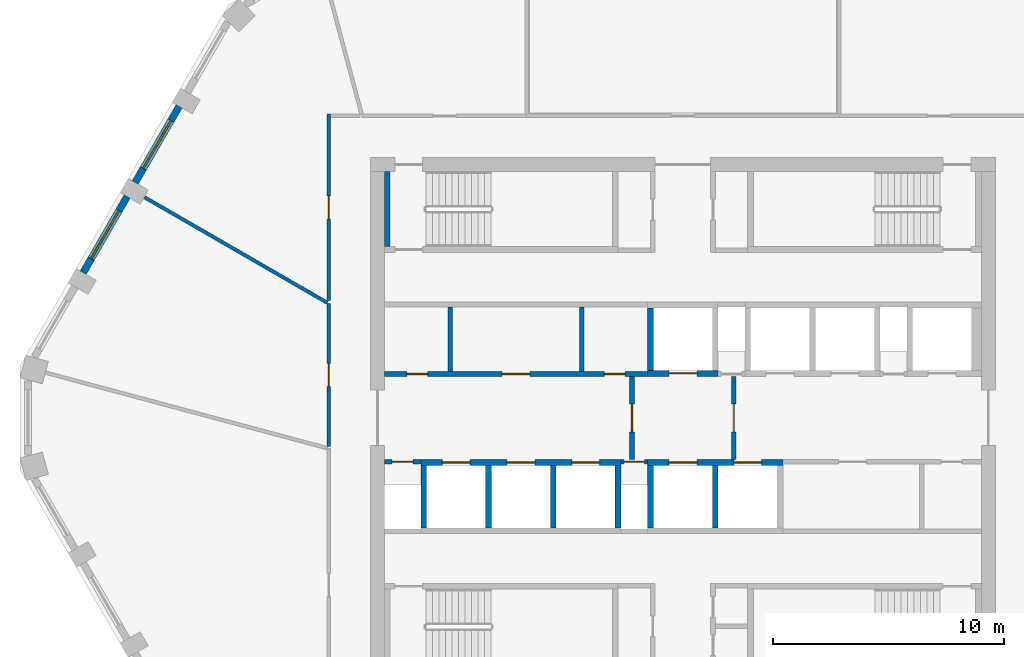
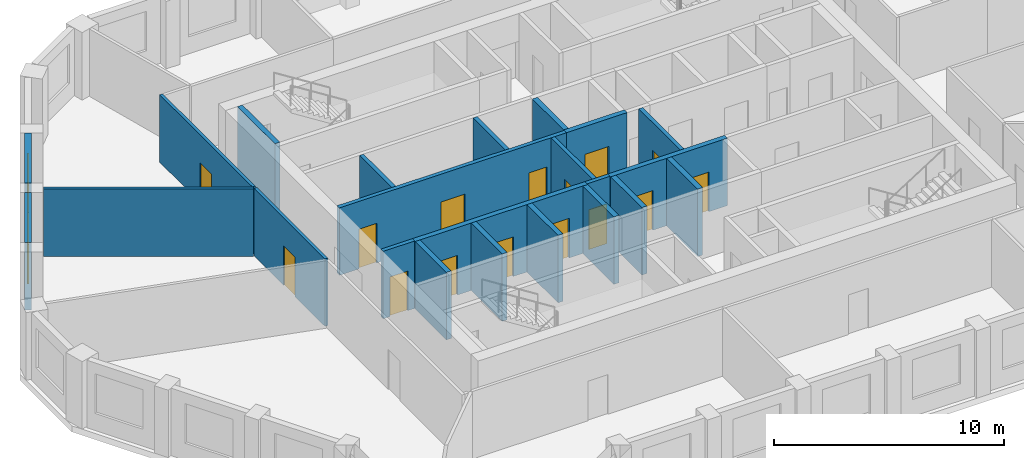
# One storey, part 3 of 10: 23 walls, 15 doors, 2 windows, 17 openings.
"""IFC4 building model written with IfcOpenShell, lengths in metres."""

from ifc_helpers import new_model, si_unit, direction, frame, frame_2d, origin, place, context, subcontext, project, spatial, polyline, rectangle, outline, extrude, material, layer, layer_set, type_object, element, fill, save


model = new_model("IFC4")

# Units and contexts
model_context = context("Model", 3, precision=1e-05, world=origin(), true_north=direction((0.0, 1.0)))
body_context = subcontext(model_context, "Body", "Model", "MODEL_VIEW")
ifc_project = project(units=[si_unit("LENGTHUNIT", "METRE"), si_unit("AREAUNIT", "SQUARE_METRE"), si_unit("VOLUMEUNIT", "CUBIC_METRE"), si_unit("PLANEANGLEUNIT", "RADIAN"), si_unit("MASSUNIT", "GRAM", prefix="KILO")], contexts=[model_context])

# Site, building, storey
site_placement = place(None, origin())
site = spatial("IfcSite", under=ifc_project, at=site_placement, CompositionType="ELEMENT")
building_placement = place(site_placement, origin())
building = spatial("IfcBuilding", under=site, at=building_placement, Name="Dhurran Vertical Campus", CompositionType="ELEMENT")
storey_placement = place(building_placement, frame((0.0, 0.0, 254.699951171875)))
storey = spatial("IfcBuildingStorey", under=building, at=storey_placement, Name="L63", CompositionType="ELEMENT", Elevation=254.699951171875)

# Wall, opening, window
ifc_material_1 = material(Name="Precast concrete C50/60", Category="concrete")
ifc_layer_1 = layer(ifc_material_1, 0.300048828125)
ifc_layer_set_1 = layer_set([ifc_layer_1], Name="Precast concrete C50/60")
wall_type_1 = type_object("IfcWallType", Name="Precast spandrel wall 300", PredefinedType="SOLIDWALL", material=ifc_layer_set_1)
wall_1_placement = place(storey_placement, frame((-21.769287109375, 13.462890625, 0.0), z_axis=(0.0, 0.0, 1.0), x_axis=(-0.499982058975, -0.866035761792, 0.0)))
wall_1 = element("IfcWall", 1, at=wall_1_placement, inside=storey, type_object=wall_type_1, Name="EW1 L63.27", PredefinedType="SOLIDWALL", context=body_context, shape_type="SweptSolid", body=[
    extrude(rectangle(XDim=3.799072265625, YDim=0.300048828125, at=frame_2d((1.8994140625, 0.0))), origin(), (0.0, 0.0, 1.0), 3.574951171875),
])
opening_1_placement = place(wall_1_placement, frame((0.699462890625, 0.0, 0.89990234375)))
opening_1 = element("IfcOpeningElement", 2, at=opening_1_placement, cuts=wall_1, Name="Opening WT1", PredefinedType="OPENING", context=body_context, shape_type="SweptSolid", body=[
    extrude(rectangle(XDim=2.39990234375, YDim=2.10009765625, at=frame_2d((1.199951171875, 1.050048828125))), frame((0.0, 0.159912109375, 0.0), z_axis=(0.0, -1.0, 0.0), x_axis=(1.0, 0.0, 0.0)), (0.0, 0.0, 1.0), 0.320068359375),
])
ifc_material_2 = material(Name="Aluminium frame with solar-control glass", Category="aluminium")
window_type = type_object("IfcWindowType", Name="Punched window 2400 x 2100", PartitioningType="SINGLE_PANEL", PredefinedType="WINDOW", material=ifc_material_2)
window_1_placement = place(opening_1_placement, origin())
window_1 = element("IfcWindow", 3, at=window_1_placement, inside=storey, type_object=window_type, Name="WT1 L63.27", OverallHeight=2.10009765625, OverallWidth=2.39990234375, PartitioningType="SINGLE_PANEL", PredefinedType="WINDOW", context=body_context, shape_type="SweptSolid", body=[
    extrude(rectangle(XDim=2.39990234375, YDim=2.10009765625, at=frame_2d((1.199951171875, 1.050048828125))), frame((0.0, 0.030029296875, 0.0), z_axis=(0.0, -1.0, 0.0), x_axis=(1.0, 0.0, 0.0)), (0.0, 0.0, 1.0), 0.06005859375),
])
fill(opening_1, window_1)

wall_2_placement = place(storey_placement, frame((-24.019287109375, 9.565673828125, 0.0), z_axis=(0.0, 0.0, 1.0), x_axis=(-0.499982058975, -0.866035761792, 0.0)))
wall_2 = element("IfcWall", 4, at=wall_2_placement, inside=storey, type_object=wall_type_1, Name="EW1 L63.28", PredefinedType="SOLIDWALL", context=body_context, shape_type="SweptSolid", body=[
    extrude(rectangle(XDim=3.799072265625, YDim=0.300048828125, at=frame_2d((1.8994140625, 0.0))), origin(), (0.0, 0.0, 1.0), 3.574951171875),
])
opening_2_placement = place(wall_2_placement, frame((0.699462890625, 0.0, 0.89990234375)))
opening_2 = element("IfcOpeningElement", 5, at=opening_2_placement, cuts=wall_2, Name="Opening WT1", PredefinedType="OPENING", context=body_context, shape_type="SweptSolid", body=[
    extrude(rectangle(XDim=2.39990234375, YDim=2.10009765625, at=frame_2d((1.199951171875, 1.050048828125))), frame((0.0, 0.159912109375, 0.0), z_axis=(0.0, -1.0, 0.0), x_axis=(1.0, 0.0, 0.0)), (0.0, 0.0, 1.0), 0.320068359375),
])
window_2_placement = place(opening_2_placement, origin())
window_2 = element("IfcWindow", 6, at=window_2_placement, inside=storey, type_object=window_type, Name="WT1 L63.28", OverallHeight=2.10009765625, OverallWidth=2.39990234375, PartitioningType="SINGLE_PANEL", PredefinedType="WINDOW", context=body_context, shape_type="SweptSolid", body=[
    extrude(rectangle(XDim=2.39990234375, YDim=2.10009765625, at=frame_2d((1.199951171875, 1.050048828125))), frame((0.0, 0.030029296875, 0.0), z_axis=(0.0, -1.0, 0.0), x_axis=(1.0, 0.0, 0.0)), (0.0, 0.0, 1.0), 0.06005859375),
])
fill(opening_2, window_2)

# Wall, opening, door
ifc_material_3 = material(Name="Fire-rated masonry blockwork", Category="masonry")
ifc_layer_2 = layer(ifc_material_3, 0.199951171875)
ifc_layer_set_2 = layer_set([ifc_layer_2], Name="Fire-rated masonry blockwork")
wall_type_2 = type_object("IfcWallType", Name="co-FIRE-PARTITION-200", PredefinedType="PARTITIONING", material=ifc_layer_set_2)
wall_3_placement = place(storey_placement, frame((-2.199951171875, -1.800048828125, 0.0), z_axis=(0.0, 0.0, 1.0), x_axis=(0.0, 1.0, 0.0)))
wall_3 = element("IfcWall", 7, at=wall_3_placement, inside=storey, type_object=wall_type_2, Name="Firefighting lobby wall W L63", PredefinedType="PARTITIONING", context=body_context, shape_type="SweptSolid", body=[
    extrude(rectangle(XDim=3.60009765625, YDim=0.199951171875, at=frame_2d((1.800048828125, 0.0))), origin(), (0.0, 0.0, 1.0), 3.574951171875),
])
opening_3_placement = place(wall_3_placement, frame((1.199951171875, 0.0, 0.0)))
opening_3 = element("IfcOpeningElement", 8, at=opening_3_placement, cuts=wall_3, Name="Opening FL1", PredefinedType="OPENING", context=body_context, shape_type="SweptSolid", body=[
    extrude(rectangle(XDim=1.199951171875, YDim=2.10009765625, at=frame_2d((0.60009765625, 1.050048828125))), frame((0.0, 0.10986328125, 0.0), z_axis=(0.0, -1.0, 0.0), x_axis=(1.0, 0.0, 0.0)), (0.0, 0.0, 1.0), 0.219970703125),
])
ifc_material_4 = material(Name="Fire-rated steel door set", Category="steel")
door_type_1 = type_object("IfcDoorType", Name="co-D-FFLOBBY 1200x2100", OperationType="SINGLE_SWING_LEFT", PredefinedType="DOOR", material=ifc_material_4)
door_1_placement = place(opening_3_placement, origin())
door_1 = element("IfcDoor", 9, at=door_1_placement, inside=storey, type_object=door_type_1, Name="Firefighting lobby door W L63", OperationType="SINGLE_SWING_LEFT", OverallHeight=2.10009765625, OverallWidth=1.199951171875, PredefinedType="DOOR", context=body_context, shape_type="SweptSolid", body=[
    extrude(rectangle(XDim=1.199951171875, YDim=2.10009765625, at=frame_2d((0.60009765625, 1.050048828125))), frame((0.0, 0.02490234375, 0.0), z_axis=(0.0, -1.0, 0.0), x_axis=(1.0, 0.0, 0.0)), (0.0, 0.0, 1.0), 0.050048828125),
])
fill(opening_3, door_1)

wall_4_placement = place(storey_placement, frame((2.199951171875, -1.800048828125, 0.0), z_axis=(0.0, 0.0, 1.0), x_axis=(0.0, 1.0, 0.0)))
wall_4 = element("IfcWall", 10, at=wall_4_placement, inside=storey, type_object=wall_type_2, Name="Firefighting lobby wall E L63", PredefinedType="PARTITIONING", context=body_context, shape_type="SweptSolid", body=[
    extrude(rectangle(XDim=3.60009765625, YDim=0.199951171875, at=frame_2d((1.800048828125, 0.0))), origin(), (0.0, 0.0, 1.0), 3.574951171875),
])
opening_4_placement = place(wall_4_placement, frame((1.199951171875, 0.0, 0.0)))
opening_4 = element("IfcOpeningElement", 11, at=opening_4_placement, cuts=wall_4, Name="Opening FL2", PredefinedType="OPENING", context=body_context, shape_type="SweptSolid", body=[
    extrude(rectangle(XDim=1.199951171875, YDim=2.10009765625, at=frame_2d((0.60009765625, 1.050048828125))), frame((0.0, 0.10986328125, 0.0), z_axis=(0.0, -1.0, 0.0), x_axis=(1.0, 0.0, 0.0)), (0.0, 0.0, 1.0), 0.219970703125),
])
door_2_placement = place(opening_4_placement, origin())
door_2 = element("IfcDoor", 12, at=door_2_placement, inside=storey, type_object=door_type_1, Name="Firefighting lobby door E L63", OperationType="SINGLE_SWING_LEFT", OverallHeight=2.10009765625, OverallWidth=1.199951171875, PredefinedType="DOOR", context=body_context, shape_type="SweptSolid", body=[
    extrude(rectangle(XDim=1.199951171875, YDim=2.10009765625, at=frame_2d((0.60009765625, 1.050048828125))), frame((0.0, 0.02490234375, 0.0), z_axis=(0.0, -1.0, 0.0), x_axis=(1.0, 0.0, 0.0)), (0.0, 0.0, 1.0), 0.050048828125),
])
fill(opening_4, door_2)

# Walls
for number, where, z_axis, x_axis, name in (
    (13, (-10.056396484375, 2.0, 0.0), (0.0, 0.0, 1.0), (0.0, 1.0, 0.0), "Core partition fr-N0-cut0 L63"),
    (14, (-4.368896484375, 2.0, 0.0), (0.0, 0.0, 1.0), (0.0, 1.0, 0.0), "Core partition fr-N0-cut1 L63"),
):
    element("IfcWall", number, at=place(storey_placement, frame(where, z_axis=z_axis, x_axis=x_axis)), inside=storey, type_object=wall_type_2, Name=name, PredefinedType="PARTITIONING", context=body_context, shape_type="SweptSolid", body=[
        extrude(rectangle(XDim=2.800048828125, YDim=0.199951171875, at=frame_2d((1.39990234375, 0.0))), origin(), (0.0, 0.0, 1.0), 3.574951171875),
    ])

# Wall, openings, doors
wall_5_placement = place(storey_placement, frame((-12.89990234375, 1.89990234375, 0.0), z_axis=(0.0, 0.0, 1.0), x_axis=(1.0, 0.0, 0.0)))
wall_5 = element("IfcWall", 15, at=wall_5_placement, inside=storey, type_object=wall_type_2, Name="Core partition fr-N0-f L63", PredefinedType="PARTITIONING", context=body_context, shape_type="SweptSolid", body=[
    extrude(rectangle(XDim=11.375, YDim=0.199951171875, at=frame_2d((5.6875, 0.0))), origin(), (0.0, 0.0, 1.0), 3.574951171875),
])
opening_5_placement = place(wall_5_placement, frame((0.971923828125, 0.0, 0.0)))
opening_5 = element("IfcOpeningElement", 16, at=opening_5_placement, cuts=wall_5, Name="Opening T18-C6", PredefinedType="OPENING", context=body_context, shape_type="SweptSolid", body=[
    extrude(rectangle(XDim=0.89990234375, YDim=2.10009765625, at=frame_2d((0.449951171875, 1.050048828125))), frame((0.0, 0.10986328125, 0.0), z_axis=(0.0, -1.0, 0.0), x_axis=(1.0, 0.0, 0.0)), (0.0, 0.0, 1.0), 0.219970703125),
])
opening_6_placement = place(wall_5_placement, frame((5.08740234375, 0.0, 0.0)))
opening_6 = element("IfcOpeningElement", 17, at=opening_6_placement, cuts=wall_5, Name="Opening T18-C7", PredefinedType="OPENING", context=body_context, shape_type="SweptSolid", body=[
    extrude(rectangle(XDim=1.199951171875, YDim=2.10009765625, at=frame_2d((0.60009765625, 1.050048828125))), frame((0.0, 0.10986328125, 0.0), z_axis=(0.0, -1.0, 0.0), x_axis=(1.0, 0.0, 0.0)), (0.0, 0.0, 1.0), 0.219970703125),
])
opening_7_placement = place(wall_5_placement, frame((9.503173828125, 0.0, 0.0)))
opening_7 = element("IfcOpeningElement", 18, at=opening_7_placement, cuts=wall_5, Name="Opening T18-C8", PredefinedType="OPENING", context=body_context, shape_type="SweptSolid", body=[
    extrude(rectangle(XDim=0.89990234375, YDim=2.10009765625, at=frame_2d((0.449951171875, 1.050048828125))), frame((0.0, 0.10986328125, 0.0), z_axis=(0.0, -1.0, 0.0), x_axis=(1.0, 0.0, 0.0)), (0.0, 0.0, 1.0), 0.219970703125),
])
ifc_material_5 = material(Name="Fire-rated timber door set", Category="wood")
door_type_2 = type_object("IfcDoorType", Name="co-D-ROOM 900x2100", OperationType="SINGLE_SWING_LEFT", PredefinedType="DOOR", material=ifc_material_5)
door_3_placement = place(opening_5_placement, origin())
door_3 = element("IfcDoor", 19, at=door_3_placement, inside=storey, type_object=door_type_2, Name="Housekeeping store door L63", OperationType="SINGLE_SWING_LEFT", OverallHeight=2.10009765625, OverallWidth=0.89990234375, PredefinedType="DOOR", context=body_context, shape_type="SweptSolid", body=[
    extrude(rectangle(XDim=0.89990234375, YDim=2.10009765625, at=frame_2d((0.449951171875, 1.050048828125))), frame((0.0, 0.02490234375, 0.0), z_axis=(0.0, -1.0, 0.0), x_axis=(1.0, 0.0, 0.0)), (0.0, 0.0, 1.0), 0.050048828125),
])
fill(opening_5, door_3)
door_4_placement = place(opening_7_placement, origin())
door_4 = element("IfcDoor", 20, at=door_4_placement, inside=storey, type_object=door_type_2, Name="Cleaner's store door L63", OperationType="SINGLE_SWING_LEFT", OverallHeight=2.10009765625, OverallWidth=0.89990234375, PredefinedType="DOOR", context=body_context, shape_type="SweptSolid", body=[
    extrude(rectangle(XDim=0.89990234375, YDim=2.10009765625, at=frame_2d((0.449951171875, 1.050048828125))), frame((0.0, 0.02490234375, 0.0), z_axis=(0.0, -1.0, 0.0), x_axis=(1.0, 0.0, 0.0)), (0.0, 0.0, 1.0), 0.050048828125),
])
fill(opening_7, door_4)
ifc_material_6 = material(Name="Fire-rated steel door set", Category="steel")
door_type_3 = type_object("IfcDoorType", Name="co-D-ROOM-PASSAGE 1200x2100", OperationType="SINGLE_SWING_RIGHT", PredefinedType="DOOR", material=ifc_material_6)
door_5_placement = place(opening_6_placement, origin())
door_5 = element("IfcDoor", 21, at=door_5_placement, inside=storey, type_object=door_type_3, Name="Server room door L63", OperationType="SINGLE_SWING_RIGHT", OverallHeight=2.10009765625, OverallWidth=1.199951171875, PredefinedType="DOOR", context=body_context, shape_type="SweptSolid", body=[
    extrude(rectangle(XDim=1.199951171875, YDim=2.10009765625, at=frame_2d((0.60009765625, 1.050048828125))), frame((0.0, 0.02490234375, 0.0), z_axis=(0.0, -1.0, 0.0), x_axis=(1.0, 0.0, 0.0)), (0.0, 0.0, 1.0), 0.050048828125),
])
fill(opening_6, door_5)

# Wall, opening, door
wall_6_placement = place(storey_placement, frame((-12.89990234375, -1.89990234375, 0.0), z_axis=(0.0, 0.0, 1.0), x_axis=(1.0, 0.0, 0.0)))
wall_6 = element("IfcWall", 22, at=wall_6_placement, inside=storey, type_object=wall_type_2, Name="Core partition fr-S0-f L63", PredefinedType="PARTITIONING", context=body_context, shape_type="SweptSolid", body=[
    extrude(rectangle(XDim=1.574951171875, YDim=0.199951171875, at=frame_2d((0.78759765625, 0.0))), origin(), (0.0, 0.0, 1.0), 3.574951171875),
])
opening_8_placement = place(wall_6_placement, frame((0.33740234375, 0.0, 0.0)))
opening_8 = element("IfcOpeningElement", 23, at=opening_8_placement, cuts=wall_6, Name="Opening T18-C11", PredefinedType="OPENING", context=body_context, shape_type="SweptSolid", body=[
    extrude(rectangle(XDim=0.89990234375, YDim=2.10009765625, at=frame_2d((0.449951171875, 1.050048828125))), frame((0.0, 0.10986328125, 0.0), z_axis=(0.0, -1.0, 0.0), x_axis=(1.0, 0.0, 0.0)), (0.0, 0.0, 1.0), 0.219970703125),
])
door_6_placement = place(opening_8_placement, origin())
door_6 = element("IfcDoor", 24, at=door_6_placement, inside=storey, type_object=door_type_2, Name="Communications riser door L63", OperationType="SINGLE_SWING_LEFT", OverallHeight=2.10009765625, OverallWidth=0.89990234375, PredefinedType="DOOR", context=body_context, shape_type="SweptSolid", body=[
    extrude(rectangle(XDim=0.89990234375, YDim=2.10009765625, at=frame_2d((0.449951171875, 1.050048828125))), frame((0.0, 0.02490234375, 0.0), z_axis=(0.0, -1.0, 0.0), x_axis=(1.0, 0.0, 0.0)), (0.0, 0.0, 1.0), 0.050048828125),
])
fill(opening_8, door_6)

wall_7_placement = place(storey_placement, frame((-2.675048828125, -1.89990234375, 0.0), z_axis=(0.0, 0.0, 1.0), x_axis=(1.0, 0.0, 0.0)))
wall_7 = element("IfcWall", 25, at=wall_7_placement, inside=storey, type_object=wall_type_2, Name="Core partition fr-S1-f L63", PredefinedType="PARTITIONING", context=body_context, shape_type="SweptSolid", body=[
    extrude(rectangle(XDim=1.150146484375, YDim=0.199951171875, at=frame_2d((0.5751953125, 0.0))), origin(), (0.0, 0.0, 1.0), 3.574951171875),
])
opening_9_placement = place(wall_7_placement, frame((0.125, 0.0, 0.0)))
opening_9 = element("IfcOpeningElement", 26, at=opening_9_placement, cuts=wall_7, Name="Opening T18-C12", PredefinedType="OPENING", context=body_context, shape_type="SweptSolid", body=[
    extrude(rectangle(XDim=0.89990234375, YDim=2.10009765625, at=frame_2d((0.449951171875, 1.050048828125))), frame((0.0, 0.10986328125, 0.0), z_axis=(0.0, -1.0, 0.0), x_axis=(1.0, 0.0, 0.0)), (0.0, 0.0, 1.0), 0.219970703125),
])
door_7_placement = place(opening_9_placement, origin())
door_7 = element("IfcDoor", 27, at=door_7_placement, inside=storey, type_object=door_type_2, Name="Electrical riser door L63", OperationType="SINGLE_SWING_LEFT", OverallHeight=2.10009765625, OverallWidth=0.89990234375, PredefinedType="DOOR", context=body_context, shape_type="SweptSolid", body=[
    extrude(rectangle(XDim=0.89990234375, YDim=2.10009765625, at=frame_2d((0.449951171875, 1.050048828125))), frame((0.0, 0.02490234375, 0.0), z_axis=(0.0, -1.0, 0.0), x_axis=(1.0, 0.0, 0.0)), (0.0, 0.0, 1.0), 0.050048828125),
])
fill(opening_9, door_7)

ifc_material_7 = material(Name="Concrete C50/60", Category="concrete")
ifc_layer_3 = layer(ifc_material_7, 0.25)
ifc_layer_set_3 = layer_set([ifc_layer_3], Name="Concrete C50/60")
wall_type_3 = type_object("IfcWallType", Name="co-SHAFT-FRONT-250", PredefinedType="SHEAR", material=ifc_layer_set_3)
wall_8_placement = place(storey_placement, frame((-1.52490234375, 1.925048828125, 0.0), z_axis=(0.0, 0.0, 1.0), x_axis=(1.0, 0.0, 0.0)))
wall_8 = element("IfcWall", 28, at=wall_8_placement, inside=storey, type_object=wall_type_3, Name="Lift landing wall N L63", PredefinedType="SHEAR", context=body_context, shape_type="SweptSolid", body=[
    extrude(rectangle(XDim=3.0498046875, YDim=0.25, at=frame_2d((1.52490234375, 0.0))), origin(), (0.0, 0.0, 1.0), 3.574951171875),
])
opening_10_placement = place(wall_8_placement, frame((0.925048828125, 0.0, 0.0)))
opening_10 = element("IfcOpeningElement", 29, at=opening_10_placement, cuts=wall_8, Name="Opening LD", PredefinedType="OPENING", context=body_context, shape_type="SweptSolid", body=[
    extrude(rectangle(XDim=1.199951171875, YDim=2.10009765625, at=frame_2d((0.60009765625, 1.050048828125))), frame((0.0, 0.135009765625, 0.0), z_axis=(0.0, -1.0, 0.0), x_axis=(1.0, 0.0, 0.0)), (0.0, 0.0, 1.0), 0.27001953125),
])
ifc_material_8 = material(Name="Stainless steel landing door", Category="steel")
door_type_4 = type_object("IfcDoorType", Name="co-D-LANDING 1200x2100", OperationType="DOUBLE_DOOR_SLIDING", PredefinedType="DOOR", material=ifc_material_8)
door_8_placement = place(opening_10_placement, origin())
door_8 = element("IfcDoor", 30, at=door_8_placement, inside=storey, type_object=door_type_4, Name="Landing door FF1 L63", OperationType="DOUBLE_DOOR_SLIDING", OverallHeight=2.10009765625, OverallWidth=1.199951171875, PredefinedType="DOOR", context=body_context, shape_type="SweptSolid", body=[
    extrude(rectangle(XDim=1.199951171875, YDim=2.10009765625, at=frame_2d((0.60009765625, 1.050048828125))), frame((0.0, 0.02490234375, 0.0), z_axis=(0.0, -1.0, 0.0), x_axis=(1.0, 0.0, 0.0)), (0.0, 0.0, 1.0), 0.050048828125),
])
fill(opening_10, door_8)

# Wall, openings, doors
wall_9_placement = place(storey_placement, frame((-11.324951171875, -1.925048828125, 0.0), z_axis=(0.0, 0.0, 1.0), x_axis=(1.0, 0.0, 0.0)))
wall_9 = element("IfcWall", 31, at=wall_9_placement, inside=storey, type_object=wall_type_3, Name="Lift landing wall S L63", PredefinedType="SHEAR", context=body_context, shape_type="SweptSolid", body=[
    extrude(rectangle(XDim=8.64990234375, YDim=0.25, at=frame_2d((4.324951171875, 0.0))), origin(), (0.0, 0.0, 1.0), 3.574951171875),
])
opening_11_placement = place(wall_9_placement, frame((0.925048828125, 0.0, 0.0)))
opening_11 = element("IfcOpeningElement", 32, at=opening_11_placement, cuts=wall_9, Name="Opening LD", PredefinedType="OPENING", context=body_context, shape_type="SweptSolid", body=[
    extrude(rectangle(XDim=1.199951171875, YDim=2.10009765625, at=frame_2d((0.60009765625, 1.050048828125))), frame((0.0, 0.135009765625, 0.0), z_axis=(0.0, -1.0, 0.0), x_axis=(1.0, 0.0, 0.0)), (0.0, 0.0, 1.0), 0.27001953125),
])
opening_12_placement = place(wall_9_placement, frame((3.72509765625, 0.0, 0.0)))
opening_12 = element("IfcOpeningElement", 33, at=opening_12_placement, cuts=wall_9, Name="Opening LD", PredefinedType="OPENING", context=body_context, shape_type="SweptSolid", body=[
    extrude(rectangle(XDim=1.199951171875, YDim=2.10009765625, at=frame_2d((0.60009765625, 1.050048828125))), frame((0.0, 0.135009765625, 0.0), z_axis=(0.0, -1.0, 0.0), x_axis=(1.0, 0.0, 0.0)), (0.0, 0.0, 1.0), 0.27001953125),
])
opening_13_placement = place(wall_9_placement, frame((6.52490234375, 0.0, 0.0)))
opening_13 = element("IfcOpeningElement", 34, at=opening_13_placement, cuts=wall_9, Name="Opening LD", PredefinedType="OPENING", context=body_context, shape_type="SweptSolid", body=[
    extrude(rectangle(XDim=1.199951171875, YDim=2.10009765625, at=frame_2d((0.60009765625, 1.050048828125))), frame((0.0, 0.135009765625, 0.0), z_axis=(0.0, -1.0, 0.0), x_axis=(1.0, 0.0, 0.0)), (0.0, 0.0, 1.0), 0.27001953125),
])
door_9_placement = place(opening_11_placement, origin())
door_9 = element("IfcDoor", 35, at=door_9_placement, inside=storey, type_object=door_type_4, Name="Landing door HR3 L63", OperationType="DOUBLE_DOOR_SLIDING", OverallHeight=2.10009765625, OverallWidth=1.199951171875, PredefinedType="DOOR", context=body_context, shape_type="SweptSolid", body=[
    extrude(rectangle(XDim=1.199951171875, YDim=2.10009765625, at=frame_2d((0.60009765625, 1.050048828125))), frame((0.0, 0.02490234375, 0.0), z_axis=(0.0, -1.0, 0.0), x_axis=(1.0, 0.0, 0.0)), (0.0, 0.0, 1.0), 0.050048828125),
])
fill(opening_11, door_9)
door_10_placement = place(opening_12_placement, origin())
door_10 = element("IfcDoor", 36, at=door_10_placement, inside=storey, type_object=door_type_4, Name="Landing door HR4 L63", OperationType="DOUBLE_DOOR_SLIDING", OverallHeight=2.10009765625, OverallWidth=1.199951171875, PredefinedType="DOOR", context=body_context, shape_type="SweptSolid", body=[
    extrude(rectangle(XDim=1.199951171875, YDim=2.10009765625, at=frame_2d((0.60009765625, 1.050048828125))), frame((0.0, 0.02490234375, 0.0), z_axis=(0.0, -1.0, 0.0), x_axis=(1.0, 0.0, 0.0)), (0.0, 0.0, 1.0), 0.050048828125),
])
fill(opening_12, door_10)
door_11_placement = place(opening_13_placement, origin())
door_11 = element("IfcDoor", 37, at=door_11_placement, inside=storey, type_object=door_type_4, Name="Landing door HR5 L63", OperationType="DOUBLE_DOOR_SLIDING", OverallHeight=2.10009765625, OverallWidth=1.199951171875, PredefinedType="DOOR", context=body_context, shape_type="SweptSolid", body=[
    extrude(rectangle(XDim=1.199951171875, YDim=2.10009765625, at=frame_2d((0.60009765625, 1.050048828125))), frame((0.0, 0.02490234375, 0.0), z_axis=(0.0, -1.0, 0.0), x_axis=(1.0, 0.0, 0.0)), (0.0, 0.0, 1.0), 0.050048828125),
])
fill(opening_13, door_11)

wall_10_placement = place(storey_placement, frame((-1.52490234375, -1.925048828125, 0.0), z_axis=(0.0, 0.0, 1.0), x_axis=(1.0, 0.0, 0.0)))
wall_10 = element("IfcWall", 38, at=wall_10_placement, inside=storey, type_object=wall_type_3, Name="Lift landing wall S L63", PredefinedType="SHEAR", context=body_context, shape_type="SweptSolid", body=[
    extrude(rectangle(XDim=5.849853515625, YDim=0.25, at=frame_2d((2.9248046875, 0.0))), origin(), (0.0, 0.0, 1.0), 3.574951171875),
])
opening_14_placement = place(wall_10_placement, frame((0.925048828125, 0.0, 0.0)))
opening_14 = element("IfcOpeningElement", 39, at=opening_14_placement, cuts=wall_10, Name="Opening LD", PredefinedType="OPENING", context=body_context, shape_type="SweptSolid", body=[
    extrude(rectangle(XDim=1.199951171875, YDim=2.10009765625, at=frame_2d((0.60009765625, 1.050048828125))), frame((0.0, 0.135009765625, 0.0), z_axis=(0.0, -1.0, 0.0), x_axis=(1.0, 0.0, 0.0)), (0.0, 0.0, 1.0), 0.27001953125),
])
opening_15_placement = place(wall_10_placement, frame((3.72509765625, 0.0, 0.0)))
opening_15 = element("IfcOpeningElement", 40, at=opening_15_placement, cuts=wall_10, Name="Opening LD", PredefinedType="OPENING", context=body_context, shape_type="SweptSolid", body=[
    extrude(rectangle(XDim=1.199951171875, YDim=2.10009765625, at=frame_2d((0.60009765625, 1.050048828125))), frame((0.0, 0.135009765625, 0.0), z_axis=(0.0, -1.0, 0.0), x_axis=(1.0, 0.0, 0.0)), (0.0, 0.0, 1.0), 0.27001953125),
])
door_12_placement = place(opening_14_placement, origin())
door_12 = element("IfcDoor", 41, at=door_12_placement, inside=storey, type_object=door_type_4, Name="Landing door FF2 L63", OperationType="DOUBLE_DOOR_SLIDING", OverallHeight=2.10009765625, OverallWidth=1.199951171875, PredefinedType="DOOR", context=body_context, shape_type="SweptSolid", body=[
    extrude(rectangle(XDim=1.199951171875, YDim=2.10009765625, at=frame_2d((0.60009765625, 1.050048828125))), frame((0.0, 0.02490234375, 0.0), z_axis=(0.0, -1.0, 0.0), x_axis=(1.0, 0.0, 0.0)), (0.0, 0.0, 1.0), 0.050048828125),
])
fill(opening_14, door_12)
door_13_placement = place(opening_15_placement, origin())
door_13 = element("IfcDoor", 42, at=door_13_placement, inside=storey, type_object=door_type_4, Name="Landing door SV1 L63", OperationType="DOUBLE_DOOR_SLIDING", OverallHeight=2.10009765625, OverallWidth=1.199951171875, PredefinedType="DOOR", context=body_context, shape_type="SweptSolid", body=[
    extrude(rectangle(XDim=1.199951171875, YDim=2.10009765625, at=frame_2d((0.60009765625, 1.050048828125))), frame((0.0, 0.02490234375, 0.0), z_axis=(0.0, -1.0, 0.0), x_axis=(1.0, 0.0, 0.0)), (0.0, 0.0, 1.0), 0.050048828125),
])
fill(opening_15, door_13)

# Walls
ifc_material_9 = material(Name="Concrete C50/60", Category="concrete")
ifc_layer_4 = layer(ifc_material_9, 0.25)
ifc_layer_set_4 = layer_set([ifc_layer_4], Name="Concrete C50/60")
wall_type_4 = type_object("IfcWallType", Name="co-SHAFT-MASS-250", PredefinedType="SHEAR", material=ifc_layer_set_4)
wall_11_placement = place(storey_placement, origin())
element("IfcWall", 43, at=wall_11_placement, inside=storey, type_object=wall_type_4, Name="Lift shaft wall N L63 4", PredefinedType="SHEAR", context=body_context, shape_type="SweptSolid", body=[
    extrude(outline(polyline([(-1.52490234375, 2.050048828125), (-1.27490234375, 2.050048828125), (-1.27490234375, 4.75), (-1.52490234375, 4.75), (-1.52490234375, 2.050048828125)])), origin(), (0.0, 0.0, 1.0), 3.574951171875),
])
wall_12_placement = place(storey_placement, origin())
element("IfcWall", 44, at=wall_12_placement, inside=storey, type_object=wall_type_4, Name="Lift shaft wall S L63 3", PredefinedType="SHEAR", context=body_context, shape_type="SweptSolid", body=[
    extrude(outline(polyline([(-11.324951171875, -4.75), (-11.074951171875, -4.75), (-11.074951171875, -2.050048828125), (-11.324951171875, -2.050048828125), (-11.324951171875, -4.75)])), origin(), (0.0, 0.0, 1.0), 3.574951171875),
])
wall_13_placement = place(storey_placement, origin())
element("IfcWall", 45, at=wall_13_placement, inside=storey, type_object=wall_type_4, Name="Lift shaft wall S L63 4", PredefinedType="SHEAR", context=body_context, shape_type="SweptSolid", body=[
    extrude(outline(polyline([(-8.52490234375, -4.75), (-8.27490234375, -4.75), (-8.27490234375, -2.050048828125), (-8.52490234375, -2.050048828125), (-8.52490234375, -4.75)])), origin(), (0.0, 0.0, 1.0), 3.574951171875),
])
wall_14_placement = place(storey_placement, origin())
element("IfcWall", 46, at=wall_14_placement, inside=storey, type_object=wall_type_4, Name="Lift shaft wall S L63 5", PredefinedType="SHEAR", context=body_context, shape_type="SweptSolid", body=[
    extrude(outline(polyline([(-5.72509765625, -4.75), (-5.47509765625, -4.75), (-5.47509765625, -2.050048828125), (-5.72509765625, -2.050048828125), (-5.72509765625, -4.75)])), origin(), (0.0, 0.0, 1.0), 3.574951171875),
])
wall_15_placement = place(storey_placement, origin())
element("IfcWall", 47, at=wall_15_placement, inside=storey, type_object=wall_type_4, Name="Lift shaft wall S L63 6", PredefinedType="SHEAR", context=body_context, shape_type="SweptSolid", body=[
    extrude(outline(polyline([(-2.925048828125, -4.75), (-2.675048828125, -4.75), (-2.675048828125, -2.050048828125), (-2.925048828125, -2.050048828125), (-2.925048828125, -4.75)])), origin(), (0.0, 0.0, 1.0), 3.574951171875),
])
wall_16_placement = place(storey_placement, origin())
element("IfcWall", 48, at=wall_16_placement, inside=storey, type_object=wall_type_4, Name="Lift shaft wall S L63 7", PredefinedType="SHEAR", context=body_context, shape_type="SweptSolid", body=[
    extrude(outline(polyline([(-1.52490234375, -4.75), (-1.27490234375, -4.75), (-1.27490234375, -2.050048828125), (-1.52490234375, -2.050048828125), (-1.52490234375, -4.75)])), origin(), (0.0, 0.0, 1.0), 3.574951171875),
])
wall_17_placement = place(storey_placement, origin())
element("IfcWall", 49, at=wall_17_placement, inside=storey, type_object=wall_type_4, Name="Lift shaft wall S L63 8", PredefinedType="SHEAR", context=body_context, shape_type="SweptSolid", body=[
    extrude(outline(polyline([(1.27490234375, -4.75), (1.52490234375, -4.75), (1.52490234375, -2.050048828125), (1.27490234375, -2.050048828125), (1.27490234375, -4.75)])), origin(), (0.0, 0.0, 1.0), 3.574951171875),
])
ifc_material_10 = material(Name="Concrete C40/50", Category="concrete")
ifc_layer_5 = layer(ifc_material_10, 0.25)
ifc_layer_set_5 = layer_set([ifc_layer_5], Name="Concrete C40/50")
wall_type_5 = type_object("IfcWallType", Name="co-STAIR-WALL-250", PredefinedType="SHEAR", material=ifc_layer_set_5)
wall_18_placement = place(storey_placement, frame((-12.77490234375, 7.39990234375, 0.0), z_axis=(0.0, 0.0, 1.0), x_axis=(0.0, 1.0, 0.0)))
element("IfcWall", 50, at=wall_18_placement, inside=storey, type_object=wall_type_5, Name="Stair ST1 enclosure wall L63", PredefinedType="SHEAR", context=body_context, shape_type="SweptSolid", body=[
    extrude(rectangle(XDim=3.25, YDim=0.25, at=frame_2d((1.625, 0.0))), origin(), (0.0, 0.0, 1.0), 3.574951171875),
])

# Wall, opening, door
ifc_material_11 = material(Name="Gypsum board corridor wall on steel studs", Category="steel")
ifc_layer_6 = layer(ifc_material_11, 0.14990234375)
ifc_layer_set_6 = layer_set([ifc_layer_6], Name="Gypsum board corridor wall on steel studs")
wall_type_6 = type_object("IfcWallType", Name="fl-CW-150 corridor wall", PredefinedType="PARTITIONING", material=ifc_layer_set_6)
wall_19_placement = place(storey_placement, frame((-15.300048828125, 4.93603515625, 0.0), z_axis=(0.0, 0.0, 1.0), x_axis=(0.0, -1.0, 0.0)))
wall_19 = element("IfcWall", 51, at=wall_19_placement, inside=storey, type_object=wall_type_6, Name="Partition 63-07", PredefinedType="PARTITIONING", context=body_context, shape_type="SweptSolid", body=[
    extrude(rectangle(XDim=6.1669921875, YDim=0.14990234375, at=frame_2d((3.08349609375, 0.0))), origin(), (0.0, 0.0, 1.0), 3.574951171875),
])
opening_16_placement = place(wall_19_placement, frame((2.58349609375, 0.0, 0.0)))
opening_16 = element("IfcOpeningElement", 52, at=opening_16_placement, cuts=wall_19, Name="Opening T18.01", PredefinedType="OPENING", context=body_context, shape_type="SweptSolid", body=[
    extrude(rectangle(XDim=1.0, YDim=2.10009765625, at=frame_2d((0.5, 1.050048828125))), frame((0.0, 0.0849609375, 0.0), z_axis=(0.0, -1.0, 0.0), x_axis=(1.0, 0.0, 0.0)), (0.0, 0.0, 1.0), 0.169921875),
])
ifc_material_12 = material(Name="Solid-core timber door set, fire-rated", Category="wood")
door_type_5 = type_object("IfcDoorType", Name="fl-D-1000x2100", OperationType="SINGLE_SWING_LEFT", PredefinedType="DOOR", material=ifc_material_12)
door_14_placement = place(opening_16_placement, origin())
door_14 = element("IfcDoor", 53, at=door_14_placement, inside=storey, type_object=door_type_5, Name="Door 63.01", OperationType="SINGLE_SWING_LEFT", OverallHeight=2.10009765625, OverallWidth=1.0, PredefinedType="DOOR", context=body_context, shape_type="SweptSolid", body=[
    extrude(rectangle(XDim=1.0, YDim=2.10009765625, at=frame_2d((0.5, 1.050048828125))), frame((0.0, 0.02490234375, 0.0), z_axis=(0.0, -1.0, 0.0), x_axis=(1.0, 0.0, 0.0)), (0.0, 0.0, 1.0), 0.050048828125),
])
fill(opening_16, door_14)

wall_20_placement = place(storey_placement, frame((-15.300048828125, 13.125, 0.0), z_axis=(0.0, 0.0, 1.0), x_axis=(0.0, -1.0, 0.0)))
wall_20 = element("IfcWall", 54, at=wall_20_placement, inside=storey, type_object=wall_type_6, Name="Partition 63-08", PredefinedType="PARTITIONING", context=body_context, shape_type="SweptSolid", body=[
    extrude(rectangle(XDim=8.05908203125, YDim=0.14990234375, at=frame_2d((4.029541015625, 0.0))), origin(), (0.0, 0.0, 1.0), 3.574951171875),
])
opening_17_placement = place(wall_20_placement, frame((3.529541015625, 0.0, 0.0)))
opening_17 = element("IfcOpeningElement", 55, at=opening_17_placement, cuts=wall_20, Name="Opening T18.03", PredefinedType="OPENING", context=body_context, shape_type="SweptSolid", body=[
    extrude(rectangle(XDim=1.0, YDim=2.10009765625, at=frame_2d((0.5, 1.050048828125))), frame((0.0, 0.0849609375, 0.0), z_axis=(0.0, -1.0, 0.0), x_axis=(1.0, 0.0, 0.0)), (0.0, 0.0, 1.0), 0.169921875),
])
door_15_placement = place(opening_17_placement, origin())
door_15 = element("IfcDoor", 56, at=door_15_placement, inside=storey, type_object=door_type_5, Name="Door 63.03", OperationType="SINGLE_SWING_LEFT", OverallHeight=2.10009765625, OverallWidth=1.0, PredefinedType="DOOR", context=body_context, shape_type="SweptSolid", body=[
    extrude(rectangle(XDim=1.0, YDim=2.10009765625, at=frame_2d((0.5, 1.050048828125))), frame((0.0, 0.02490234375, 0.0), z_axis=(0.0, -1.0, 0.0), x_axis=(1.0, 0.0, 0.0)), (0.0, 0.0, 1.0), 0.050048828125),
])
fill(opening_17, door_15)

# Wall
ifc_material_13 = material(Name="Gypsum board partition on steel studs", Category="steel")
ifc_layer_7 = layer(ifc_material_13, 0.14990234375)
ifc_layer_set_7 = layer_set([ifc_layer_7], Name="Gypsum board partition on steel studs")
wall_type_7 = type_object("IfcWallType", Name="fl-PW-150 fixed partition", PredefinedType="PARTITIONING", material=ifc_layer_set_7)
wall_21_placement = place(storey_placement, frame((-23.263916015625, 9.5341796875, 0.0), z_axis=(0.0, 0.0, 1.0), x_axis=(0.866009068046, -0.500028293261, 0.0)))
element("IfcWall", 57, at=wall_21_placement, inside=storey, type_object=wall_type_7, Name="Partition 63-02", PredefinedType="PARTITIONING", context=body_context, shape_type="SweptSolid", body=[
    extrude(rectangle(XDim=9.12109375, YDim=0.14990234375, at=frame_2d((4.560546875, 0.0))), origin(), (0.0, 0.0, 1.0), 3.574951171875),
])

save(model, "model.ifc")
